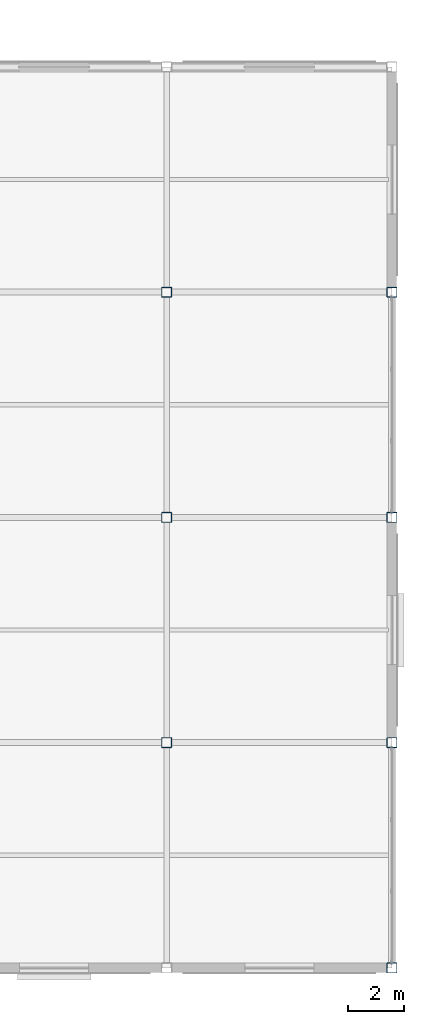
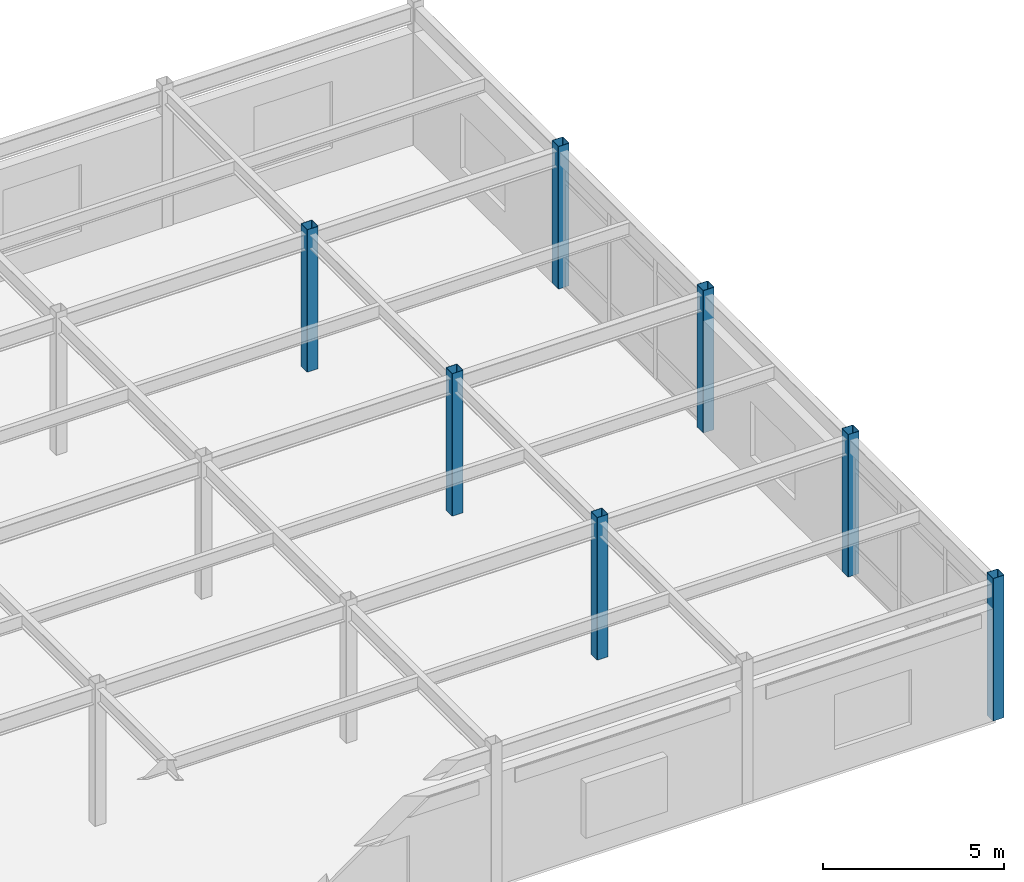
# One storey, part 18 of 117: 7 columns.
"""IFC4 building model written with IfcOpenShell, lengths in metres."""

from ifc_helpers import new_model, si_unit, direction, frame, origin, origin_2d, place, context, subcontext, project, spatial, hollow_rectangle, extrude, material, material_profile, profile_set, type_object, element, save


model = new_model("IFC4")

# Units and contexts
model_context = context("Model", 3, precision=1e-05, world=origin(), true_north=direction((0.0, 1.0)))
body_context = subcontext(model_context, "Body", "Model", "MODEL_VIEW")
ifc_project = project(units=[si_unit("LENGTHUNIT", "METRE"), si_unit("AREAUNIT", "SQUARE_METRE"), si_unit("VOLUMEUNIT", "CUBIC_METRE"), si_unit("PLANEANGLEUNIT", "RADIAN"), si_unit("MASSUNIT", "GRAM", prefix="KILO")], contexts=[model_context])

# Site, building, storey
site_placement = place(None, origin())
site = spatial("IfcSite", under=ifc_project, at=site_placement, CompositionType="ELEMENT")
building_placement = place(site_placement, origin())
building = spatial("IfcBuilding", under=site, at=building_placement, Name="Solmirada Galleria", CompositionType="ELEMENT")
storey_placement = place(building_placement, frame((0.0, 0.0, 5.60009765625)))
storey = spatial("IfcBuildingStorey", under=building, at=storey_placement, Name="L01", CompositionType="ELEMENT", Elevation=5.60009765625)

# Columns
ifc_material = material(Name="Steel S355 / ASTM A500 Grade C", Category="steel")
ifc_material_profile = material_profile(ifc_material, hollow_rectangle(XDim=0.35595703125, YDim=0.35595703125, WallThickness=0.01171875, InnerFilletRadius=0.01171875, OuterFilletRadius=0.023681640625, at=origin_2d()), Name="HSS14X14X1/2")
ifc_profile_set = profile_set([ifc_material_profile], Name="Steel S355 / ASTM A500 Grade C")
column_type = type_object("IfcColumnType", Name="COL-HSS14", PredefinedType="COLUMN", material=ifc_profile_set)
for number, where, z_axis, x_axis, name in (
    (1, (168.0, 8.0, 0.0), (0.0, 0.0, 1.0), (1.0, 0.0, 0.0), "Structural column L01-1443"),
    (2, (168.0, 16.0, 0.0), (0.0, 0.0, 1.0), (1.0, 0.0, 0.0), "Structural column L01-1447"),
    (3, (168.0, 24.0, 0.0), (0.0, 0.0, 1.0), (1.0, 0.0, 0.0), "Structural column L01-1451"),
    (4, (176.0, 0.0, 0.0), (0.0, 0.0, 1.0), (1.0, 0.0, 0.0), "Structural column L01-1512"),
    (5, (176.0, 8.0, 0.0), (0.0, 0.0, 1.0), (1.0, 0.0, 0.0), "Structural column L01-1516"),
    (6, (176.0, 16.0, 0.0), (0.0, 0.0, 1.0), (1.0, 0.0, 0.0), "Structural column L01-1520"),
    (7, (176.0, 24.0, 0.0), (0.0, 0.0, 1.0), (1.0, 0.0, 0.0), "Structural column L01-1524"),
):
    element("IfcColumn", number, at=place(storey_placement, frame(where, z_axis=z_axis, x_axis=x_axis)), inside=storey, type_object=column_type, Name=name, PredefinedType="COLUMN", context=body_context, shape_type="SweptSolid", body=[
        extrude(hollow_rectangle(XDim=0.35595703125, YDim=0.35595703125, WallThickness=0.01171875, InnerFilletRadius=0.01171875, OuterFilletRadius=0.023681640625, at=origin_2d()), origin(), (0.0, 0.0, 1.0), 4.7998046875),
    ])

save(model, "model.ifc")
